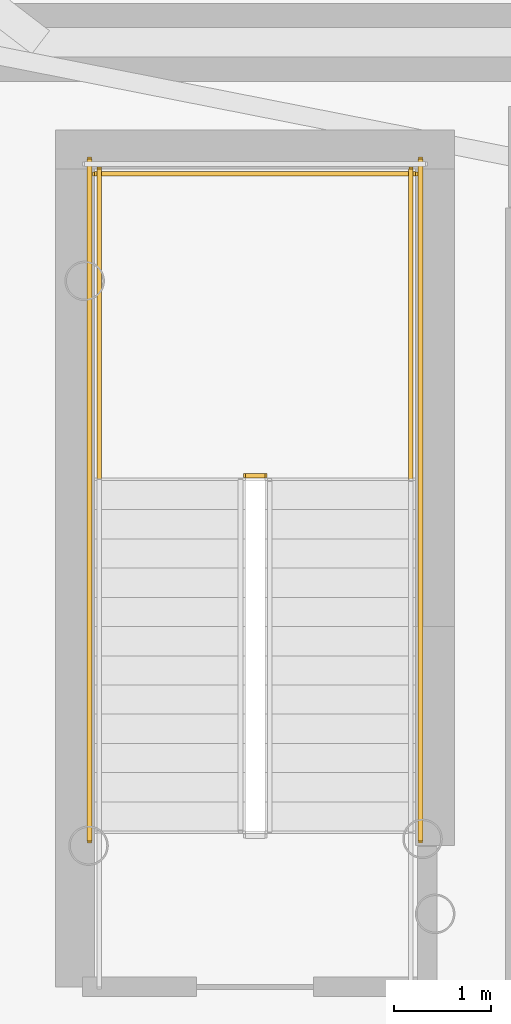
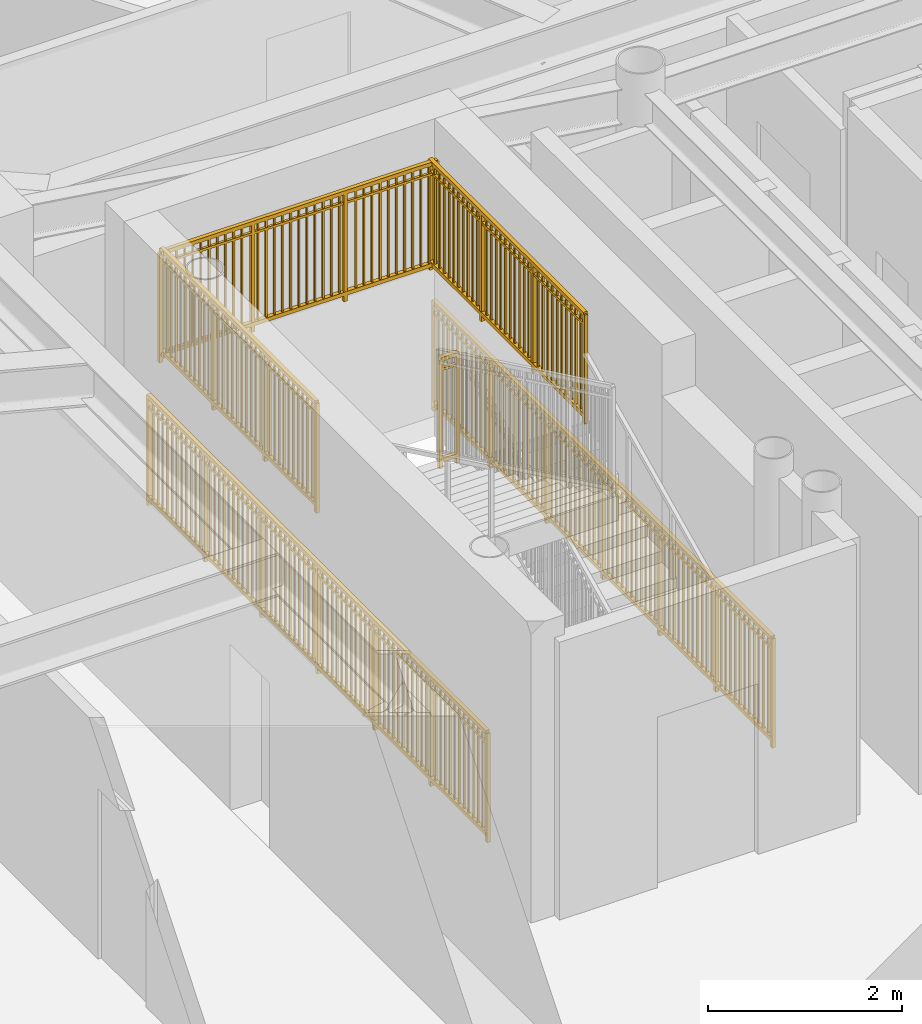
# One storey, part 15 of 19: 6 railings.
"""IFC4 building model written with IfcOpenShell, lengths in metres."""

from ifc_helpers import new_model, si_unit, direction, frame, origin, origin_2d, place, context, subcontext, project, spatial, rectangle, extrude, source, transform, mapped, material, type_object, element, save


model = new_model("IFC4")

# Units and contexts
model_context = context("Model", 3, precision=1e-05, world=origin(), true_north=direction((0.0, 1.0)))
body_context = subcontext(model_context, "Body", "Model", "MODEL_VIEW")
ifc_project = project(units=[si_unit("LENGTHUNIT", "METRE"), si_unit("AREAUNIT", "SQUARE_METRE"), si_unit("VOLUMEUNIT", "CUBIC_METRE"), si_unit("PLANEANGLEUNIT", "RADIAN"), si_unit("MASSUNIT", "GRAM", prefix="KILO")], contexts=[model_context])

# Site, building, storey
site_placement = place(None, origin())
site = spatial("IfcSite", under=ifc_project, at=site_placement, CompositionType="ELEMENT")
building_placement = place(site_placement, origin())
building = spatial("IfcBuilding", under=site, at=building_placement, Name="Linh Dai School and Residence Tower", CompositionType="ELEMENT")
storey_placement = place(building_placement, frame((0.0, 0.0, 119.699951171875)))
storey = spatial("IfcBuildingStorey", under=building, at=storey_placement, Name="L28", CompositionType="ELEMENT", Elevation=119.699951171875)

# Railings
ifc_material = material(Name="Structural Steel S355JR", Category="steel")
railing_type = type_object("IfcRailingType", Name="RL-ST-GUARD-1400", PredefinedType="GUARDRAIL", material=ifc_material)
shared_shape_1 = source(origin(), body_context, "Body", "SweptSolid", [
    extrude(rectangle(XDim=0.048095703125, YDim=0.048095703125, at=origin_2d()), frame((0.0, 0.0, 1.3759765625), z_axis=(-1.0, 0.0, 0.0), x_axis=(0.0, -1.0, 0.0)), (0.0, 0.0, 1.0), 0.199951171875),
    extrude(rectangle(XDim=0.048095703125, YDim=0.048095703125, at=origin_2d()), frame((0.0, 0.0, 0.10009765625), z_axis=(-1.0, 0.0, 0.0), x_axis=(0.0, -1.0, 0.0)), (0.0, 0.0, 1.0), 0.199951171875),
    extrude(rectangle(XDim=0.030029296875, YDim=0.030029296875, at=origin_2d()), frame((0.0, 0.0, 1.239990234375), z_axis=(-1.0, 0.0, 0.0), x_axis=(0.0, -1.0, 0.0)), (0.0, 0.0, 1.0), 0.199951171875),
    extrude(rectangle(XDim=0.0419921875, YDim=0.0419921875, at=origin_2d()), origin(), (0.0, 0.0, 1.0), 1.3759765625),
    extrude(rectangle(XDim=0.0419921875, YDim=0.0419921875, at=origin_2d()), frame((-0.199951171875, 0.0, 0.0)), (0.0, 0.0, 1.0), 1.3759765625),
])
railing_1_placement = place(storey_placement, frame((29.429931640625, 29.35009765625, 1.875)))
element("IfcRailing", 1, at=railing_1_placement, inside=storey, type_object=railing_type, Name="L28 ST1 stair guard 2", PredefinedType="GUARDRAIL", context=body_context, shape_type="MappedRepresentation", body=[
    mapped(shared_shape_1, transform((0.0, 0.0, 0.0), x_axis=(1.0, 0.0, 0.0), y_axis=(0.0, 1.0, 0.0), z_axis=(0.0, 0.0, 1.0), scale=1.0)),
])
shared_shape_2 = source(origin(), body_context, "Body", "SweptSolid", [
    extrude(rectangle(XDim=0.048095703125, YDim=0.048095703125, at=origin_2d()), frame((0.0, 0.0, 1.3759765625), z_axis=(-1.0, 0.0, 0.0), x_axis=(0.0, -1.0, 0.0)), (0.0, 0.0, 1.0), 3.300048828125),
    extrude(rectangle(XDim=0.048095703125, YDim=0.048095703125, at=origin_2d()), frame((0.0, 0.0, 0.10009765625), z_axis=(-1.0, 0.0, 0.0), x_axis=(0.0, -1.0, 0.0)), (0.0, 0.0, 1.0), 3.300048828125),
    extrude(rectangle(XDim=0.030029296875, YDim=0.030029296875, at=origin_2d()), frame((0.0, 0.0, 1.239990234375), z_axis=(-1.0, 0.0, 0.0), x_axis=(0.0, -1.0, 0.0)), (0.0, 0.0, 1.0), 3.300048828125),
    extrude(rectangle(XDim=0.02001953125, YDim=0.02001953125, at=origin_2d()), frame((-0.09716796875, 0.0, 0.10009765625)), (0.0, 0.0, 1.0), 1.251708984375),
    extrude(rectangle(XDim=0.02001953125, YDim=0.02001953125, at=origin_2d()), frame((-0.194091796875, 0.0, 0.10009765625)), (0.0, 0.0, 1.0), 1.251708984375),
    extrude(rectangle(XDim=0.02001953125, YDim=0.02001953125, at=origin_2d()), frame((-0.291259765625, 0.0, 0.10009765625)), (0.0, 0.0, 1.0), 1.251708984375),
    extrude(rectangle(XDim=0.02001953125, YDim=0.02001953125, at=origin_2d()), frame((-0.38818359375, 0.0, 0.10009765625)), (0.0, 0.0, 1.0), 1.251708984375),
    extrude(rectangle(XDim=0.02001953125, YDim=0.02001953125, at=origin_2d()), frame((-0.4853515625, 0.0, 0.10009765625)), (0.0, 0.0, 1.0), 1.251708984375),
    extrude(rectangle(XDim=0.02001953125, YDim=0.02001953125, at=origin_2d()), frame((-0.582275390625, 0.0, 0.10009765625)), (0.0, 0.0, 1.0), 1.251708984375),
    extrude(rectangle(XDim=0.02001953125, YDim=0.02001953125, at=origin_2d()), frame((-0.679443359375, 0.0, 0.10009765625)), (0.0, 0.0, 1.0), 1.251708984375),
    extrude(rectangle(XDim=0.02001953125, YDim=0.02001953125, at=origin_2d()), frame((-0.7763671875, 0.0, 0.10009765625)), (0.0, 0.0, 1.0), 1.251708984375),
    extrude(rectangle(XDim=0.02001953125, YDim=0.02001953125, at=origin_2d()), frame((-0.87353515625, 0.0, 0.10009765625)), (0.0, 0.0, 1.0), 1.251708984375),
    extrude(rectangle(XDim=0.02001953125, YDim=0.02001953125, at=origin_2d()), frame((-0.970703125, 0.0, 0.10009765625)), (0.0, 0.0, 1.0), 1.251708984375),
    extrude(rectangle(XDim=0.02001953125, YDim=0.02001953125, at=origin_2d()), frame((-1.164794921875, 0.0, 0.10009765625)), (0.0, 0.0, 1.0), 1.251708984375),
    extrude(rectangle(XDim=0.02001953125, YDim=0.02001953125, at=origin_2d()), frame((-1.26171875, 0.0, 0.10009765625)), (0.0, 0.0, 1.0), 1.251708984375),
    extrude(rectangle(XDim=0.02001953125, YDim=0.02001953125, at=origin_2d()), frame((-1.35888671875, 0.0, 0.10009765625)), (0.0, 0.0, 1.0), 1.251708984375),
    extrude(rectangle(XDim=0.02001953125, YDim=0.02001953125, at=origin_2d()), frame((-1.455810546875, 0.0, 0.10009765625)), (0.0, 0.0, 1.0), 1.251708984375),
    extrude(rectangle(XDim=0.02001953125, YDim=0.02001953125, at=origin_2d()), frame((-1.552978515625, 0.0, 0.10009765625)), (0.0, 0.0, 1.0), 1.251708984375),
    extrude(rectangle(XDim=0.02001953125, YDim=0.02001953125, at=origin_2d()), frame((-1.64990234375, 0.0, 0.10009765625)), (0.0, 0.0, 1.0), 1.251708984375),
    extrude(rectangle(XDim=0.02001953125, YDim=0.02001953125, at=origin_2d()), frame((-1.7470703125, 0.0, 0.10009765625)), (0.0, 0.0, 1.0), 1.251708984375),
    extrude(rectangle(XDim=0.02001953125, YDim=0.02001953125, at=origin_2d()), frame((-1.84423828125, 0.0, 0.10009765625)), (0.0, 0.0, 1.0), 1.251708984375),
    extrude(rectangle(XDim=0.02001953125, YDim=0.02001953125, at=origin_2d()), frame((-1.941162109375, 0.0, 0.10009765625)), (0.0, 0.0, 1.0), 1.251708984375),
    extrude(rectangle(XDim=0.02001953125, YDim=0.02001953125, at=origin_2d()), frame((-2.038330078125, 0.0, 0.10009765625)), (0.0, 0.0, 1.0), 1.251708984375),
    extrude(rectangle(XDim=0.02001953125, YDim=0.02001953125, at=origin_2d()), frame((-2.13525390625, 0.0, 0.10009765625)), (0.0, 0.0, 1.0), 1.251708984375),
    extrude(rectangle(XDim=0.02001953125, YDim=0.02001953125, at=origin_2d()), frame((-2.329345703125, 0.0, 0.10009765625)), (0.0, 0.0, 1.0), 1.251708984375),
    extrude(rectangle(XDim=0.02001953125, YDim=0.02001953125, at=origin_2d()), frame((-2.426513671875, 0.0, 0.10009765625)), (0.0, 0.0, 1.0), 1.251708984375),
    extrude(rectangle(XDim=0.02001953125, YDim=0.02001953125, at=origin_2d()), frame((-2.523681640625, 0.0, 0.10009765625)), (0.0, 0.0, 1.0), 1.251708984375),
    extrude(rectangle(XDim=0.02001953125, YDim=0.02001953125, at=origin_2d()), frame((-2.62060546875, 0.0, 0.10009765625)), (0.0, 0.0, 1.0), 1.251708984375),
    extrude(rectangle(XDim=0.02001953125, YDim=0.02001953125, at=origin_2d()), frame((-2.7177734375, 0.0, 0.10009765625)), (0.0, 0.0, 1.0), 1.251708984375),
    extrude(rectangle(XDim=0.02001953125, YDim=0.02001953125, at=origin_2d()), frame((-2.814697265625, 0.0, 0.10009765625)), (0.0, 0.0, 1.0), 1.251708984375),
    extrude(rectangle(XDim=0.02001953125, YDim=0.02001953125, at=origin_2d()), frame((-2.911865234375, 0.0, 0.10009765625)), (0.0, 0.0, 1.0), 1.251708984375),
    extrude(rectangle(XDim=0.02001953125, YDim=0.02001953125, at=origin_2d()), frame((-3.0087890625, 0.0, 0.10009765625)), (0.0, 0.0, 1.0), 1.251708984375),
    extrude(rectangle(XDim=0.02001953125, YDim=0.02001953125, at=origin_2d()), frame((-3.10595703125, 0.0, 0.10009765625)), (0.0, 0.0, 1.0), 1.251708984375),
    extrude(rectangle(XDim=0.02001953125, YDim=0.02001953125, at=origin_2d()), frame((-3.202880859375, 0.0, 0.10009765625)), (0.0, 0.0, 1.0), 1.251708984375),
    extrude(rectangle(XDim=0.0419921875, YDim=0.0419921875, at=origin_2d()), origin(), (0.0, 0.0, 1.0), 1.3759765625),
    extrude(rectangle(XDim=0.0419921875, YDim=0.0419921875, at=origin_2d()), frame((-1.10009765625, 0.0, 0.0)), (0.0, 0.0, 1.0), 1.3759765625),
    extrude(rectangle(XDim=0.0419921875, YDim=0.0419921875, at=origin_2d()), frame((-2.199951171875, 0.0, 0.0)), (0.0, 0.0, 1.0), 1.3759765625),
    extrude(rectangle(XDim=0.0419921875, YDim=0.0419921875, at=origin_2d()), frame((-3.300048828125, 0.0, 0.0)), (0.0, 0.0, 1.0), 1.3759765625),
])
railing_2_placement = place(storey_placement, frame((30.97998046875, 32.449951171875, 1.875)))
element("IfcRailing", 2, at=railing_2_placement, inside=storey, type_object=railing_type, Name="L28 ST1 stair guard 5", PredefinedType="GUARDRAIL", context=body_context, shape_type="MappedRepresentation", body=[
    mapped(shared_shape_2, transform((0.0, 0.0, 0.0), x_axis=(1.0, 0.0, 0.0), y_axis=(0.0, 1.0, 0.0), z_axis=(0.0, 0.0, 1.0), scale=1.0)),
])
shared_shape_3 = source(origin(), body_context, "Body", "SweptSolid", [
    extrude(rectangle(XDim=0.048095703125, YDim=0.048095703125, at=origin_2d()), frame((0.0, 0.0, 1.3759765625), z_axis=(0.0, 1.0, 0.0), x_axis=(-1.0, 0.0, 0.0)), (0.0, 0.0, 1.0), 7.0),
    extrude(rectangle(XDim=0.048095703125, YDim=0.048095703125, at=origin_2d()), frame((0.0, 0.0, 0.10009765625), z_axis=(0.0, 1.0, 0.0), x_axis=(-1.0, 0.0, 0.0)), (0.0, 0.0, 1.0), 7.0),
    extrude(rectangle(XDim=0.030029296875, YDim=0.030029296875, at=origin_2d()), frame((0.0, 0.0, 1.239990234375), z_axis=(0.0, 1.0, 0.0), x_axis=(-1.0, 0.0, 0.0)), (0.0, 0.0, 1.0), 7.0),
    extrude(rectangle(XDim=0.02001953125, YDim=0.02001953125, at=origin_2d()), frame((0.0, 0.09716796875, 0.10009765625)), (0.0, 0.0, 1.0), 1.251708984375),
    extrude(rectangle(XDim=0.02001953125, YDim=0.02001953125, at=origin_2d()), frame((0.0, 0.1943359375, 0.10009765625)), (0.0, 0.0, 1.0), 1.251708984375),
    extrude(rectangle(XDim=0.02001953125, YDim=0.02001953125, at=origin_2d()), frame((0.0, 0.291748046875, 0.10009765625)), (0.0, 0.0, 1.0), 1.251708984375),
    extrude(rectangle(XDim=0.02001953125, YDim=0.02001953125, at=origin_2d()), frame((0.0, 0.388916015625, 0.10009765625)), (0.0, 0.0, 1.0), 1.251708984375),
    extrude(rectangle(XDim=0.02001953125, YDim=0.02001953125, at=origin_2d()), frame((0.0, 0.486083984375, 0.10009765625)), (0.0, 0.0, 1.0), 1.251708984375),
    extrude(rectangle(XDim=0.02001953125, YDim=0.02001953125, at=origin_2d()), frame((0.0, 0.583251953125, 0.10009765625)), (0.0, 0.0, 1.0), 1.251708984375),
    extrude(rectangle(XDim=0.02001953125, YDim=0.02001953125, at=origin_2d()), frame((0.0, 0.6806640625, 0.10009765625)), (0.0, 0.0, 1.0), 1.251708984375),
    extrude(rectangle(XDim=0.02001953125, YDim=0.02001953125, at=origin_2d()), frame((0.0, 0.77783203125, 0.10009765625)), (0.0, 0.0, 1.0), 1.251708984375),
    extrude(rectangle(XDim=0.02001953125, YDim=0.02001953125, at=origin_2d()), frame((0.0, 0.875, 0.10009765625)), (0.0, 0.0, 1.0), 1.251708984375),
    extrude(rectangle(XDim=0.02001953125, YDim=0.02001953125, at=origin_2d()), frame((0.0, 0.97216796875, 0.10009765625)), (0.0, 0.0, 1.0), 1.251708984375),
    extrude(rectangle(XDim=0.02001953125, YDim=0.02001953125, at=origin_2d()), frame((0.0, 1.0693359375, 0.10009765625)), (0.0, 0.0, 1.0), 1.251708984375),
    extrude(rectangle(XDim=0.02001953125, YDim=0.02001953125, at=origin_2d()), frame((0.0, 1.263916015625, 0.10009765625)), (0.0, 0.0, 1.0), 1.251708984375),
    extrude(rectangle(XDim=0.02001953125, YDim=0.02001953125, at=origin_2d()), frame((0.0, 1.361083984375, 0.10009765625)), (0.0, 0.0, 1.0), 1.251708984375),
    extrude(rectangle(XDim=0.02001953125, YDim=0.02001953125, at=origin_2d()), frame((0.0, 1.458251953125, 0.10009765625)), (0.0, 0.0, 1.0), 1.251708984375),
    extrude(rectangle(XDim=0.02001953125, YDim=0.02001953125, at=origin_2d()), frame((0.0, 1.5556640625, 0.10009765625)), (0.0, 0.0, 1.0), 1.251708984375),
    extrude(rectangle(XDim=0.02001953125, YDim=0.02001953125, at=origin_2d()), frame((0.0, 1.65283203125, 0.10009765625)), (0.0, 0.0, 1.0), 1.251708984375),
    extrude(rectangle(XDim=0.02001953125, YDim=0.02001953125, at=origin_2d()), frame((0.0, 1.75, 0.10009765625)), (0.0, 0.0, 1.0), 1.251708984375),
    extrude(rectangle(XDim=0.02001953125, YDim=0.02001953125, at=origin_2d()), frame((0.0, 1.84716796875, 0.10009765625)), (0.0, 0.0, 1.0), 1.251708984375),
    extrude(rectangle(XDim=0.02001953125, YDim=0.02001953125, at=origin_2d()), frame((0.0, 1.9443359375, 0.10009765625)), (0.0, 0.0, 1.0), 1.251708984375),
    extrude(rectangle(XDim=0.02001953125, YDim=0.02001953125, at=origin_2d()), frame((0.0, 2.041748046875, 0.10009765625)), (0.0, 0.0, 1.0), 1.251708984375),
    extrude(rectangle(XDim=0.02001953125, YDim=0.02001953125, at=origin_2d()), frame((0.0, 2.138916015625, 0.10009765625)), (0.0, 0.0, 1.0), 1.251708984375),
    extrude(rectangle(XDim=0.02001953125, YDim=0.02001953125, at=origin_2d()), frame((0.0, 2.236083984375, 0.10009765625)), (0.0, 0.0, 1.0), 1.251708984375),
    extrude(rectangle(XDim=0.02001953125, YDim=0.02001953125, at=origin_2d()), frame((0.0, 2.4306640625, 0.10009765625)), (0.0, 0.0, 1.0), 1.251708984375),
    extrude(rectangle(XDim=0.02001953125, YDim=0.02001953125, at=origin_2d()), frame((0.0, 2.52783203125, 0.10009765625)), (0.0, 0.0, 1.0), 1.251708984375),
    extrude(rectangle(XDim=0.02001953125, YDim=0.02001953125, at=origin_2d()), frame((0.0, 2.625, 0.10009765625)), (0.0, 0.0, 1.0), 1.251708984375),
    extrude(rectangle(XDim=0.02001953125, YDim=0.02001953125, at=origin_2d()), frame((0.0, 2.72216796875, 0.10009765625)), (0.0, 0.0, 1.0), 1.251708984375),
    extrude(rectangle(XDim=0.02001953125, YDim=0.02001953125, at=origin_2d()), frame((0.0, 2.8193359375, 0.10009765625)), (0.0, 0.0, 1.0), 1.251708984375),
    extrude(rectangle(XDim=0.02001953125, YDim=0.02001953125, at=origin_2d()), frame((0.0, 2.916748046875, 0.10009765625)), (0.0, 0.0, 1.0), 1.251708984375),
    extrude(rectangle(XDim=0.02001953125, YDim=0.02001953125, at=origin_2d()), frame((0.0, 3.013916015625, 0.10009765625)), (0.0, 0.0, 1.0), 1.251708984375),
    extrude(rectangle(XDim=0.02001953125, YDim=0.02001953125, at=origin_2d()), frame((0.0, 3.111083984375, 0.10009765625)), (0.0, 0.0, 1.0), 1.251708984375),
    extrude(rectangle(XDim=0.02001953125, YDim=0.02001953125, at=origin_2d()), frame((0.0, 3.208251953125, 0.10009765625)), (0.0, 0.0, 1.0), 1.251708984375),
    extrude(rectangle(XDim=0.02001953125, YDim=0.02001953125, at=origin_2d()), frame((0.0, 3.3056640625, 0.10009765625)), (0.0, 0.0, 1.0), 1.251708984375),
    extrude(rectangle(XDim=0.02001953125, YDim=0.02001953125, at=origin_2d()), frame((0.0, 3.40283203125, 0.10009765625)), (0.0, 0.0, 1.0), 1.251708984375),
    extrude(rectangle(XDim=0.02001953125, YDim=0.02001953125, at=origin_2d()), frame((0.0, 3.59716796875, 0.10009765625)), (0.0, 0.0, 1.0), 1.251708984375),
    extrude(rectangle(XDim=0.02001953125, YDim=0.02001953125, at=origin_2d()), frame((0.0, 3.6943359375, 0.10009765625)), (0.0, 0.0, 1.0), 1.251708984375),
    extrude(rectangle(XDim=0.02001953125, YDim=0.02001953125, at=origin_2d()), frame((0.0, 3.791748046875, 0.10009765625)), (0.0, 0.0, 1.0), 1.251708984375),
    extrude(rectangle(XDim=0.02001953125, YDim=0.02001953125, at=origin_2d()), frame((0.0, 3.888916015625, 0.10009765625)), (0.0, 0.0, 1.0), 1.251708984375),
    extrude(rectangle(XDim=0.02001953125, YDim=0.02001953125, at=origin_2d()), frame((0.0, 3.986083984375, 0.10009765625)), (0.0, 0.0, 1.0), 1.251708984375),
    extrude(rectangle(XDim=0.02001953125, YDim=0.02001953125, at=origin_2d()), frame((0.0, 4.083251953125, 0.10009765625)), (0.0, 0.0, 1.0), 1.251708984375),
    extrude(rectangle(XDim=0.02001953125, YDim=0.02001953125, at=origin_2d()), frame((0.0, 4.1806640625, 0.10009765625)), (0.0, 0.0, 1.0), 1.251708984375),
    extrude(rectangle(XDim=0.02001953125, YDim=0.02001953125, at=origin_2d()), frame((0.0, 4.27783203125, 0.10009765625)), (0.0, 0.0, 1.0), 1.251708984375),
    extrude(rectangle(XDim=0.02001953125, YDim=0.02001953125, at=origin_2d()), frame((0.0, 4.375, 0.10009765625)), (0.0, 0.0, 1.0), 1.251708984375),
    extrude(rectangle(XDim=0.02001953125, YDim=0.02001953125, at=origin_2d()), frame((0.0, 4.47216796875, 0.10009765625)), (0.0, 0.0, 1.0), 1.251708984375),
    extrude(rectangle(XDim=0.02001953125, YDim=0.02001953125, at=origin_2d()), frame((0.0, 4.5693359375, 0.10009765625)), (0.0, 0.0, 1.0), 1.251708984375),
    extrude(rectangle(XDim=0.02001953125, YDim=0.02001953125, at=origin_2d()), frame((0.0, 4.763916015625, 0.10009765625)), (0.0, 0.0, 1.0), 1.251708984375),
    extrude(rectangle(XDim=0.02001953125, YDim=0.02001953125, at=origin_2d()), frame((0.0, 4.861083984375, 0.10009765625)), (0.0, 0.0, 1.0), 1.251708984375),
    extrude(rectangle(XDim=0.02001953125, YDim=0.02001953125, at=origin_2d()), frame((0.0, 4.958251953125, 0.10009765625)), (0.0, 0.0, 1.0), 1.251708984375),
    extrude(rectangle(XDim=0.02001953125, YDim=0.02001953125, at=origin_2d()), frame((0.0, 5.0556640625, 0.10009765625)), (0.0, 0.0, 1.0), 1.251708984375),
    extrude(rectangle(XDim=0.02001953125, YDim=0.02001953125, at=origin_2d()), frame((0.0, 5.15283203125, 0.10009765625)), (0.0, 0.0, 1.0), 1.251708984375),
    extrude(rectangle(XDim=0.02001953125, YDim=0.02001953125, at=origin_2d()), frame((0.0, 5.25, 0.10009765625)), (0.0, 0.0, 1.0), 1.251708984375),
    extrude(rectangle(XDim=0.02001953125, YDim=0.02001953125, at=origin_2d()), frame((0.0, 5.34716796875, 0.10009765625)), (0.0, 0.0, 1.0), 1.251708984375),
    extrude(rectangle(XDim=0.02001953125, YDim=0.02001953125, at=origin_2d()), frame((0.0, 5.4443359375, 0.10009765625)), (0.0, 0.0, 1.0), 1.251708984375),
    extrude(rectangle(XDim=0.02001953125, YDim=0.02001953125, at=origin_2d()), frame((0.0, 5.541748046875, 0.10009765625)), (0.0, 0.0, 1.0), 1.251708984375),
    extrude(rectangle(XDim=0.02001953125, YDim=0.02001953125, at=origin_2d()), frame((0.0, 5.638916015625, 0.10009765625)), (0.0, 0.0, 1.0), 1.251708984375),
    extrude(rectangle(XDim=0.02001953125, YDim=0.02001953125, at=origin_2d()), frame((0.0, 5.736083984375, 0.10009765625)), (0.0, 0.0, 1.0), 1.251708984375),
    extrude(rectangle(XDim=0.02001953125, YDim=0.02001953125, at=origin_2d()), frame((0.0, 5.9306640625, 0.10009765625)), (0.0, 0.0, 1.0), 1.251708984375),
    extrude(rectangle(XDim=0.02001953125, YDim=0.02001953125, at=origin_2d()), frame((0.0, 6.02783203125, 0.10009765625)), (0.0, 0.0, 1.0), 1.251708984375),
    extrude(rectangle(XDim=0.02001953125, YDim=0.02001953125, at=origin_2d()), frame((0.0, 6.125, 0.10009765625)), (0.0, 0.0, 1.0), 1.251708984375),
    extrude(rectangle(XDim=0.02001953125, YDim=0.02001953125, at=origin_2d()), frame((0.0, 6.22216796875, 0.10009765625)), (0.0, 0.0, 1.0), 1.251708984375),
    extrude(rectangle(XDim=0.02001953125, YDim=0.02001953125, at=origin_2d()), frame((0.0, 6.3193359375, 0.10009765625)), (0.0, 0.0, 1.0), 1.251708984375),
    extrude(rectangle(XDim=0.02001953125, YDim=0.02001953125, at=origin_2d()), frame((0.0, 6.416748046875, 0.10009765625)), (0.0, 0.0, 1.0), 1.251708984375),
    extrude(rectangle(XDim=0.02001953125, YDim=0.02001953125, at=origin_2d()), frame((0.0, 6.513916015625, 0.10009765625)), (0.0, 0.0, 1.0), 1.251708984375),
    extrude(rectangle(XDim=0.02001953125, YDim=0.02001953125, at=origin_2d()), frame((0.0, 6.611083984375, 0.10009765625)), (0.0, 0.0, 1.0), 1.251708984375),
    extrude(rectangle(XDim=0.02001953125, YDim=0.02001953125, at=origin_2d()), frame((0.0, 6.708251953125, 0.10009765625)), (0.0, 0.0, 1.0), 1.251708984375),
    extrude(rectangle(XDim=0.02001953125, YDim=0.02001953125, at=origin_2d()), frame((0.0, 6.8056640625, 0.10009765625)), (0.0, 0.0, 1.0), 1.251708984375),
    extrude(rectangle(XDim=0.02001953125, YDim=0.02001953125, at=origin_2d()), frame((0.0, 6.90283203125, 0.10009765625)), (0.0, 0.0, 1.0), 1.251708984375),
    extrude(rectangle(XDim=0.0419921875, YDim=0.0419921875, at=origin_2d()), origin(), (0.0, 0.0, 1.0), 1.3759765625),
    extrude(rectangle(XDim=0.0419921875, YDim=0.0419921875, at=origin_2d()), frame((0.0, 1.166748046875, 0.0)), (0.0, 0.0, 1.0), 1.3759765625),
    extrude(rectangle(XDim=0.0419921875, YDim=0.0419921875, at=origin_2d()), frame((0.0, 2.333251953125, 0.0)), (0.0, 0.0, 1.0), 1.3759765625),
    extrude(rectangle(XDim=0.0419921875, YDim=0.0419921875, at=origin_2d()), frame((0.0, 3.5, 0.0)), (0.0, 0.0, 1.0), 1.3759765625),
    extrude(rectangle(XDim=0.0419921875, YDim=0.0419921875, at=origin_2d()), frame((0.0, 4.666748046875, 0.0)), (0.0, 0.0, 1.0), 1.3759765625),
    extrude(rectangle(XDim=0.0419921875, YDim=0.0419921875, at=origin_2d()), frame((0.0, 5.833251953125, 0.0)), (0.0, 0.0, 1.0), 1.3759765625),
    extrude(rectangle(XDim=0.0419921875, YDim=0.0419921875, at=origin_2d()), frame((0.0, 7.0, 0.0)), (0.0, 0.0, 1.0), 1.3759765625),
])
for number, where, name in (
    (3, (31.030029296875, 25.60009765625, 0.0), "L28 ST1 stair guard 10"),
    (4, (27.6298828125, 25.60009765625, 0.0), "L28 ST1 stair guard 11"),
):
    element("IfcRailing", number, at=place(storey_placement, frame(where)), inside=storey, type_object=railing_type, Name=name, PredefinedType="GUARDRAIL", context=body_context, shape_type="MappedRepresentation", body=[
        mapped(shared_shape_3, transform((0.0, 0.0, 0.0), x_axis=(1.0, 0.0, 0.0), y_axis=(0.0, 1.0, 0.0), z_axis=(0.0, 0.0, 1.0), scale=1.0)),
    ])
shared_shape_4 = source(origin(), body_context, "Body", "SweptSolid", [
    extrude(rectangle(XDim=0.048095703125, YDim=0.048095703125, at=origin_2d()), frame((0.0, 0.0, 1.3759765625), z_axis=(0.0, 1.0, 0.0), x_axis=(-1.0, 0.0, 0.0)), (0.0, 0.0, 1.0), 3.199951171875),
    extrude(rectangle(XDim=0.048095703125, YDim=0.048095703125, at=origin_2d()), frame((0.0, 0.0, 0.10009765625), z_axis=(0.0, 1.0, 0.0), x_axis=(-1.0, 0.0, 0.0)), (0.0, 0.0, 1.0), 3.199951171875),
    extrude(rectangle(XDim=0.030029296875, YDim=0.030029296875, at=origin_2d()), frame((0.0, 0.0, 1.239990234375), z_axis=(0.0, 1.0, 0.0), x_axis=(-1.0, 0.0, 0.0)), (0.0, 0.0, 1.0), 3.199951171875),
    extrude(rectangle(XDim=0.02001953125, YDim=0.02001953125, at=origin_2d()), frame((0.0, 0.096923828125, 0.10009765625)), (0.0, 0.0, 1.0), 1.251708984375),
    extrude(rectangle(XDim=0.02001953125, YDim=0.02001953125, at=origin_2d()), frame((0.0, 0.19384765625, 0.10009765625)), (0.0, 0.0, 1.0), 1.251708984375),
    extrude(rectangle(XDim=0.02001953125, YDim=0.02001953125, at=origin_2d()), frame((0.0, 0.291015625, 0.10009765625)), (0.0, 0.0, 1.0), 1.251708984375),
    extrude(rectangle(XDim=0.02001953125, YDim=0.02001953125, at=origin_2d()), frame((0.0, 0.387939453125, 0.10009765625)), (0.0, 0.0, 1.0), 1.251708984375),
    extrude(rectangle(XDim=0.02001953125, YDim=0.02001953125, at=origin_2d()), frame((0.0, 0.48486328125, 0.10009765625)), (0.0, 0.0, 1.0), 1.251708984375),
    extrude(rectangle(XDim=0.02001953125, YDim=0.02001953125, at=origin_2d()), frame((0.0, 0.581787109375, 0.10009765625)), (0.0, 0.0, 1.0), 1.251708984375),
    extrude(rectangle(XDim=0.02001953125, YDim=0.02001953125, at=origin_2d()), frame((0.0, 0.6787109375, 0.10009765625)), (0.0, 0.0, 1.0), 1.251708984375),
    extrude(rectangle(XDim=0.02001953125, YDim=0.02001953125, at=origin_2d()), frame((0.0, 0.775634765625, 0.10009765625)), (0.0, 0.0, 1.0), 1.251708984375),
    extrude(rectangle(XDim=0.02001953125, YDim=0.02001953125, at=origin_2d()), frame((0.0, 0.872802734375, 0.10009765625)), (0.0, 0.0, 1.0), 1.251708984375),
    extrude(rectangle(XDim=0.02001953125, YDim=0.02001953125, at=origin_2d()), frame((0.0, 0.9697265625, 0.10009765625)), (0.0, 0.0, 1.0), 1.251708984375),
    extrude(rectangle(XDim=0.02001953125, YDim=0.02001953125, at=origin_2d()), frame((0.0, 1.16357421875, 0.10009765625)), (0.0, 0.0, 1.0), 1.251708984375),
    extrude(rectangle(XDim=0.02001953125, YDim=0.02001953125, at=origin_2d()), frame((0.0, 1.260498046875, 0.10009765625)), (0.0, 0.0, 1.0), 1.251708984375),
    extrude(rectangle(XDim=0.02001953125, YDim=0.02001953125, at=origin_2d()), frame((0.0, 1.357666015625, 0.10009765625)), (0.0, 0.0, 1.0), 1.251708984375),
    extrude(rectangle(XDim=0.02001953125, YDim=0.02001953125, at=origin_2d()), frame((0.0, 1.45458984375, 0.10009765625)), (0.0, 0.0, 1.0), 1.251708984375),
    extrude(rectangle(XDim=0.02001953125, YDim=0.02001953125, at=origin_2d()), frame((0.0, 1.551513671875, 0.10009765625)), (0.0, 0.0, 1.0), 1.251708984375),
    extrude(rectangle(XDim=0.02001953125, YDim=0.02001953125, at=origin_2d()), frame((0.0, 1.6484375, 0.10009765625)), (0.0, 0.0, 1.0), 1.251708984375),
    extrude(rectangle(XDim=0.02001953125, YDim=0.02001953125, at=origin_2d()), frame((0.0, 1.745361328125, 0.10009765625)), (0.0, 0.0, 1.0), 1.251708984375),
    extrude(rectangle(XDim=0.02001953125, YDim=0.02001953125, at=origin_2d()), frame((0.0, 1.84228515625, 0.10009765625)), (0.0, 0.0, 1.0), 1.251708984375),
    extrude(rectangle(XDim=0.02001953125, YDim=0.02001953125, at=origin_2d()), frame((0.0, 1.939453125, 0.10009765625)), (0.0, 0.0, 1.0), 1.251708984375),
    extrude(rectangle(XDim=0.02001953125, YDim=0.02001953125, at=origin_2d()), frame((0.0, 2.036376953125, 0.10009765625)), (0.0, 0.0, 1.0), 1.251708984375),
    extrude(rectangle(XDim=0.02001953125, YDim=0.02001953125, at=origin_2d()), frame((0.0, 2.230224609375, 0.10009765625)), (0.0, 0.0, 1.0), 1.251708984375),
    extrude(rectangle(XDim=0.02001953125, YDim=0.02001953125, at=origin_2d()), frame((0.0, 2.3271484375, 0.10009765625)), (0.0, 0.0, 1.0), 1.251708984375),
    extrude(rectangle(XDim=0.02001953125, YDim=0.02001953125, at=origin_2d()), frame((0.0, 2.42431640625, 0.10009765625)), (0.0, 0.0, 1.0), 1.251708984375),
    extrude(rectangle(XDim=0.02001953125, YDim=0.02001953125, at=origin_2d()), frame((0.0, 2.521240234375, 0.10009765625)), (0.0, 0.0, 1.0), 1.251708984375),
    extrude(rectangle(XDim=0.02001953125, YDim=0.02001953125, at=origin_2d()), frame((0.0, 2.6181640625, 0.10009765625)), (0.0, 0.0, 1.0), 1.251708984375),
    extrude(rectangle(XDim=0.02001953125, YDim=0.02001953125, at=origin_2d()), frame((0.0, 2.715087890625, 0.10009765625)), (0.0, 0.0, 1.0), 1.251708984375),
    extrude(rectangle(XDim=0.02001953125, YDim=0.02001953125, at=origin_2d()), frame((0.0, 2.81201171875, 0.10009765625)), (0.0, 0.0, 1.0), 1.251708984375),
    extrude(rectangle(XDim=0.02001953125, YDim=0.02001953125, at=origin_2d()), frame((0.0, 2.908935546875, 0.10009765625)), (0.0, 0.0, 1.0), 1.251708984375),
    extrude(rectangle(XDim=0.02001953125, YDim=0.02001953125, at=origin_2d()), frame((0.0, 3.006103515625, 0.10009765625)), (0.0, 0.0, 1.0), 1.251708984375),
    extrude(rectangle(XDim=0.02001953125, YDim=0.02001953125, at=origin_2d()), frame((0.0, 3.10302734375, 0.10009765625)), (0.0, 0.0, 1.0), 1.251708984375),
    extrude(rectangle(XDim=0.0419921875, YDim=0.0419921875, at=origin_2d()), origin(), (0.0, 0.0, 1.0), 1.3759765625),
    extrude(rectangle(XDim=0.0419921875, YDim=0.0419921875, at=origin_2d()), frame((0.0, 1.066650390625, 0.0)), (0.0, 0.0, 1.0), 1.3759765625),
    extrude(rectangle(XDim=0.0419921875, YDim=0.0419921875, at=origin_2d()), frame((0.0, 2.13330078125, 0.0)), (0.0, 0.0, 1.0), 1.3759765625),
    extrude(rectangle(XDim=0.0419921875, YDim=0.0419921875, at=origin_2d()), frame((0.0, 3.199951171875, 0.0)), (0.0, 0.0, 1.0), 1.3759765625),
])
for number, where, name in (
    (5, (30.929931640625, 29.300048828125, 1.875), "L28 ST1 stair guard 3"),
    (6, (27.72998046875, 29.300048828125, 1.875), "L28 ST1 stair guard 4"),
):
    element("IfcRailing", number, at=place(storey_placement, frame(where)), inside=storey, type_object=railing_type, Name=name, PredefinedType="GUARDRAIL", context=body_context, shape_type="MappedRepresentation", body=[
        mapped(shared_shape_4, transform((0.0, 0.0, 0.0), x_axis=(1.0, 0.0, 0.0), y_axis=(0.0, 1.0, 0.0), z_axis=(0.0, 0.0, 1.0), scale=1.0)),
    ])

save(model, "model.ifc")
